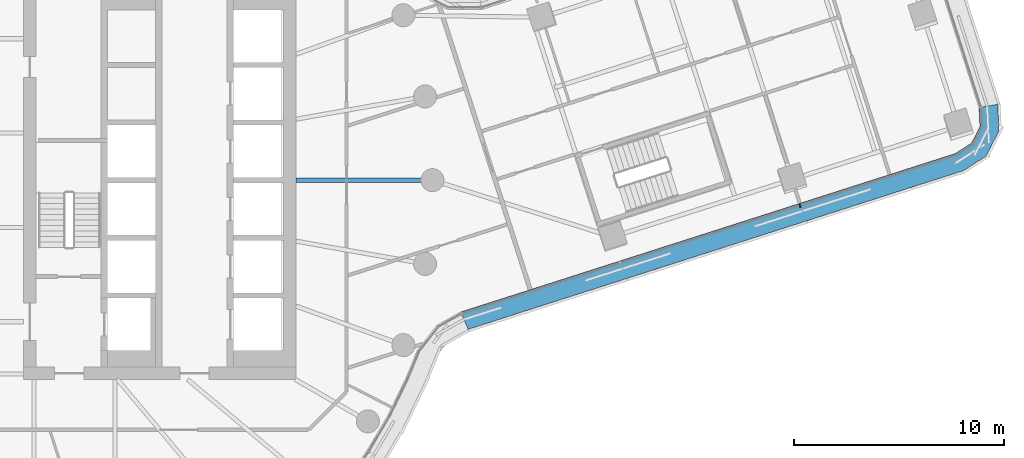
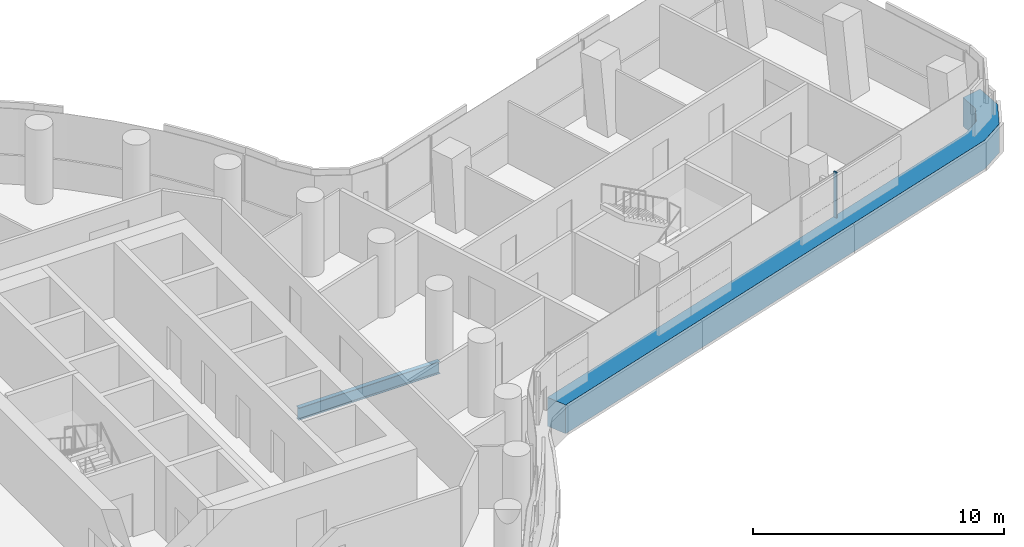
# One storey, part 10 of 30: 2 members, 1 beam, 1 element without a shape of its own.
"""IFC4 building model written with IfcOpenShell, lengths in metres."""

from ifc_helpers import new_model, si_unit, direction, frame, origin, origin_2d, place, context, subcontext, project, spatial, polyline, rectangle, i_section, outline, extrude, material, layer, layer_set, material_profile, profile_set, type_object, element, aggregate, save


model = new_model("IFC4")

# Units and contexts
model_context = context("Model", 3, precision=1e-05, world=origin(), true_north=direction((0.0, 1.0)))
body_context = subcontext(model_context, "Body", "Model", "MODEL_VIEW")
ifc_project = project(units=[si_unit("LENGTHUNIT", "METRE"), si_unit("AREAUNIT", "SQUARE_METRE"), si_unit("VOLUMEUNIT", "CUBIC_METRE"), si_unit("PLANEANGLEUNIT", "RADIAN"), si_unit("MASSUNIT", "GRAM", prefix="KILO")], contexts=[model_context])

# Site, building, storey
site_placement = place(None, origin())
site = spatial("IfcSite", under=ifc_project, at=site_placement, CompositionType="ELEMENT")
building_placement = place(site_placement, origin())
building = spatial("IfcBuilding", under=site, at=building_placement, Name="Tamarind Cross Interchange Tower", CompositionType="ELEMENT")
storey_placement = place(building_placement, frame((0.0, 0.0, 98.5)))
storey = spatial("IfcBuildingStorey", under=building, at=storey_placement, Name="L23", CompositionType="ELEMENT", Elevation=98.5)

# Beam
ifc_material_1 = material(Name="Steel Q355B", Category="steel")
ifc_material_profile_1 = material_profile(ifc_material_1, i_section(OverallWidth=0.198974609375, OverallDepth=0.595947265625, WebThickness=0.010009765625, FlangeThickness=0.014892578125, FilletRadius=0.012939453125, at=origin_2d()), Name="HN 596x199x10x15")
ifc_profile_set_1 = profile_set([ifc_material_profile_1], Name="Steel Q355B")
beam_type = type_object("IfcBeamType", Name="Composite beam HN 596x199x10x15 Q355B", PredefinedType="BEAM", material=ifc_profile_set_1)
beam_placement = place(storey_placement, frame((23.0, 0.0, -0.43798828125), z_axis=(-1.0, 0.0, 0.0), x_axis=(0.0, -1.0, 0.0)))
element("IfcBeam", 1, at=beam_placement, inside=storey, type_object=beam_type, Name="Beam HH00", PredefinedType="BEAM", context=body_context, shape_type="SweptSolid", body=[
    extrude(i_section(OverallWidth=0.198974609375, OverallDepth=0.595947265625, WebThickness=0.010009765625, FlangeThickness=0.014892578125, FilletRadius=0.012939453125, at=origin_2d()), origin(), (0.0, 0.0, 1.0), 6.5),
])

# Curtain wall, members
ifc_material_2 = material(Name="Aluminium 6063-T6", Category="aluminium")
ifc_layer = layer(ifc_material_2, 0.159912109375)
ifc_layer_set = layer_set([ifc_layer], Name="Aluminium 6063-T6")
curtain_wall_type = type_object("IfcCurtainWallType", Name="Office curtain wall, 9.0 m bays", PredefinedType="NOTDEFINED", material=ifc_layer_set)
curtain_wall_placement = place(storey_placement, origin())
curtain_wall = element("IfcCurtainWall", 2, at=curtain_wall_placement, inside=storey, type_object=curtain_wall_type, Name="CWS-L23-15", PredefinedType="NOTDEFINED")
ifc_material_3 = material(Name="Aluminium and insulated spandrel panel", Category="aluminium")
member_type_1 = type_object("IfcMemberType", Name="Floor-edge blade transom", PredefinedType="USERDEFINED", material=ifc_material_3)
member_1_placement = place(storey_placement, origin())
member_1 = element("IfcMember", 3, at=member_1_placement, type_object=member_type_1, Name="CWT-L23-15", ObjectType="TRANSOM", PredefinedType="USERDEFINED", context=body_context, shape_type="SweptSolid", body=[
    extrude(outline(polyline([(24.342529296875, -6.284912109375), (47.940185546875, 1.27392578125), (48.7099609375, 1.769287109375), (49.1103515625, 2.546875), (49.066162109375, 3.461181640625), (49.95947265625, 3.623046875), (50.020751953125, 2.349365234375), (49.39990234375, 1.14306640625), (48.32763671875, 0.453125), (24.7041015625, -7.1142578125), (24.342529296875, -6.284912109375)])), origin(), (0.0, 0.0, 1.0), 1.39990234375),
])
ifc_material_profile_2 = material_profile(ifc_material_2, rectangle(XDim=0.06005859375, YDim=0.159912109375, at=origin_2d()), Name="Mullion CW1")
ifc_profile_set_2 = profile_set([ifc_material_profile_2], Name="Aluminium 6063-T6")
member_type_2 = type_object("IfcMemberType", Name="Mullion CW1", PredefinedType="MULLION", material=ifc_profile_set_2)
member_2_placement = place(storey_placement, frame((40.526611328125, -1.205810546875, 1.39990234375), z_axis=(0.0, 0.0, 1.0), x_axis=(0.95233405785, 0.305057113111, 0.0)))
member_2 = element("IfcMember", 4, at=member_2_placement, type_object=member_type_2, Name="CWM-L23-15-02", PredefinedType="MULLION", context=body_context, shape_type="SweptSolid", body=[
    extrude(rectangle(XDim=0.06005859375, YDim=0.159912109375, at=origin_2d()), origin(), (0.0, 0.0, 1.0), 2.210205078125),
])
aggregate(curtain_wall, [member_2, member_1])

save(model, "model.ifc")
